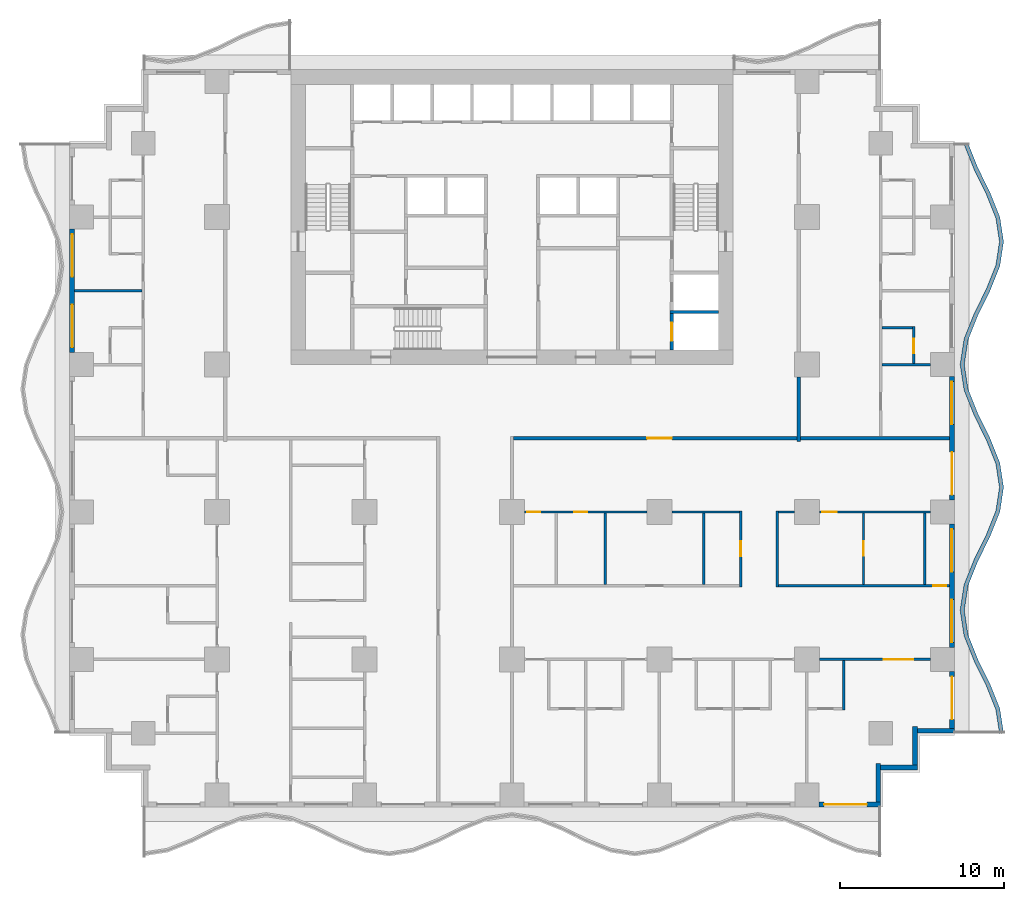
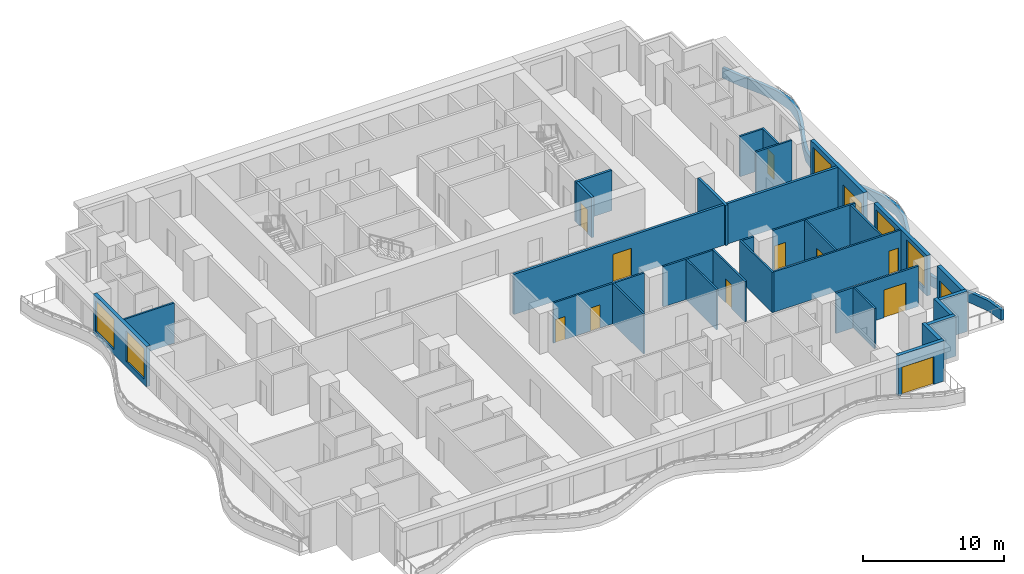
# One storey, part 4 of 14: 32 walls, 13 doors, 5 windows, 18 openings.
"""IFC4 building model written with IfcOpenShell, lengths in metres."""

from ifc_helpers import new_model, si_unit, direction, frame, frame_2d, origin, place, context, subcontext, project, spatial, polyline, rectangle, outline, extrude, material, layer, layer_set, type_object, element, fill, save


model = new_model("IFC4")

# Units and contexts
model_context = context("Model", 3, precision=1e-05, world=origin(), true_north=direction((0.0, 1.0)))
body_context = subcontext(model_context, "Body", "Model", "MODEL_VIEW")
ifc_project = project(units=[si_unit("LENGTHUNIT", "METRE"), si_unit("AREAUNIT", "SQUARE_METRE"), si_unit("VOLUMEUNIT", "CUBIC_METRE"), si_unit("PLANEANGLEUNIT", "RADIAN"), si_unit("MASSUNIT", "GRAM", prefix="KILO")], contexts=[model_context])

# Site, building, storey
site_placement = place(None, origin())
site = spatial("IfcSite", under=ifc_project, at=site_placement, CompositionType="ELEMENT")
building_placement = place(site_placement, origin())
building = spatial("IfcBuilding", under=site, at=building_placement, Name="Orbiselva Terraces", CompositionType="ELEMENT")
storey_placement = place(building_placement, frame((0.0, 0.0, 22.6)))
storey = spatial("IfcBuildingStorey", under=building, at=storey_placement, Name="L05", CompositionType="ELEMENT", Elevation=22.6)

# Wall, opening, door
ifc_material_1 = material(Name="Concrete C60/75", Category="concrete")
ifc_layer_1 = layer(ifc_material_1, 0.2)
ifc_layer_set_1 = layer_set([ifc_layer_1], Name="Concrete C60/75")
wall_type_1 = type_object("IfcWallType", Name="CORE-WALL-SHEAR-200", PredefinedType="SHEAR", material=ifc_layer_set_1)
wall_1_placement = place(storey_placement, frame((9.75, 5.4, 0.0), z_axis=(0.0, 0.0, 1.0), x_axis=(0.0, 1.0, 0.0)))
wall_1 = element("IfcWall", 1, at=wall_1_placement, inside=storey, type_object=wall_type_1, Name="L05 core wall 44", PredefinedType="SHEAR", context=body_context, shape_type="SweptSolid", body=[
    extrude(rectangle(XDim=2.2, YDim=0.2, at=frame_2d((1.1, 0.0))), origin(), (0.0, 0.0, 1.0), 3.5),
])
opening_1_placement = place(wall_1_placement, frame((0.55, 0.0, 0.0)))
opening_1 = element("IfcOpeningElement", 2, at=opening_1_placement, cuts=wall_1, Name="Opening LD-FF1", PredefinedType="OPENING", context=body_context, shape_type="SweptSolid", body=[
    extrude(rectangle(XDim=1.1, YDim=2.1, at=frame_2d((0.55, 1.05))), frame((0.0, 0.11, 0.0), z_axis=(0.0, -1.0, 0.0), x_axis=(1.0, 0.0, 0.0)), (0.0, 0.0, 1.0), 0.22),
])
ifc_material_2 = material(Name="Stainless steel landing door", Category="steel")
door_type_1 = type_object("IfcDoorType", Name="LANDING DOOR 1100", OperationType="SLIDING_TO_LEFT", PredefinedType="DOOR", material=ifc_material_2)
door_1_placement = place(opening_1_placement, origin())
door_1 = element("IfcDoor", 3, at=door_1_placement, inside=storey, type_object=door_type_1, Name="L05 landing door FF1", OperationType="SLIDING_TO_RIGHT", OverallHeight=2.1, OverallWidth=1.1, PredefinedType="DOOR", context=body_context, shape_type="SweptSolid", body=[
    extrude(rectangle(XDim=1.1, YDim=2.1, at=frame_2d((0.55, 1.05))), frame((0.0, 0.025, 0.0), z_axis=(0.0, -1.0, 0.0), x_axis=(1.0, 0.0, 0.0)), (0.0, 0.0, 1.0), 0.05),
])
fill(opening_1, door_1)

# Walls
wall_2_placement = place(storey_placement, frame((9.65, 7.7, 0.0), z_axis=(0.0, 0.0, 1.0), x_axis=(1.0, 0.0, 0.0)))
element("IfcWall", 4, at=wall_2_placement, inside=storey, type_object=wall_type_1, Name="L05 core wall 45", PredefinedType="SHEAR", context=body_context, shape_type="SweptSolid", body=[
    extrude(rectangle(XDim=2.95, YDim=0.2, at=frame_2d((1.475, 0.0))), origin(), (0.0, 0.0, 1.0), 3.5),
])
ifc_material_3 = material(Name="Concrete C40/50", Category="concrete")
ifc_layer_2 = layer(ifc_material_3, 0.25)
ifc_layer_set_2 = layer_set([ifc_layer_2], Name="Concrete C40/50")
wall_type_2 = type_object("IfcWallType", Name="ENV-PLANTER-250x900", PredefinedType="USERDEFINED", material=ifc_layer_set_2)
wall_3_placement = place(storey_placement, origin())
element("IfcWall", 5, at=wall_3_placement, inside=storey, type_object=wall_type_2, Name="Balcony planter L05 E", ObjectType="PLANTER", PredefinedType="USERDEFINED", context=body_context, shape_type="SweptSolid", body=[
    extrude(outline(polyline([(30.0, -18.0), (29.77082, -16.5), (29.17082, -15.0), (28.42918, -13.5), (27.82918, -12.0), (27.6, -10.5), (27.82918, -9.0), (28.42918, -7.5), (29.17082, -6.0), (29.77082, -4.5), (30.0, -3.0), (29.77082, -1.5), (29.17082, 0.0), (28.42918, 1.5), (27.82918, 3.0), (27.6, 4.5), (27.82918, 6.0), (28.42918, 7.5), (29.17082, 9.0), (29.77082, 10.5), (30.0, 12.0), (29.77082, 13.5), (29.17082, 15.0), (28.42918, 16.5), (27.82918, 18.0), (27.597061, 17.907152), (28.200715, 16.398017), (28.942355, 14.898017), (29.528028, 13.433834), (29.747099, 12.0), (29.528028, 10.566166), (28.942355, 9.101983), (28.200715, 7.601983), (27.586388, 6.066166), (27.347099, 4.5), (27.586388, 2.933834), (28.200715, 1.398017), (28.942355, -0.101983), (29.528028, -1.566166), (29.747099, -3.0), (29.528028, -4.433834), (28.942355, -5.898017), (28.200715, -7.398017), (27.586388, -8.933834), (27.347099, -10.5), (27.586388, -12.066166), (28.200715, -13.601983), (28.942355, -15.101983), (29.528028, -16.566166), (29.752868, -18.037758), (30.0, -18.0)])), origin(), (0.0, 0.0, 1.0), 0.9),
])

# Wall, opening, door
ifc_material_4 = material(Name="Terracotta cladding on masonry backing", Category="masonry")
ifc_layer_3 = layer(ifc_material_4, 0.3)
ifc_layer_set_3 = layer_set([ifc_layer_3], Name="Terracotta cladding on masonry backing")
wall_type_3 = type_object("IfcWallType", Name="ENV-WALL-TERRACOTTA-300", PredefinedType="SOLIDWALL", material=ifc_layer_set_3)
wall_4_placement = place(storey_placement, frame((22.5, -22.35, 0.0), z_axis=(0.0, 0.0, 1.0), x_axis=(-1.0, 0.0, 0.0)))
wall_4 = element("IfcWall", 6, at=wall_4_placement, inside=storey, type_object=wall_type_3, Name="Facade wall L05 S", PredefinedType="SOLIDWALL", context=body_context, shape_type="SweptSolid", body=[
    extrude(rectangle(XDim=3.775, YDim=0.3, at=frame_2d((1.8875, 0.0))), origin(), (0.0, 0.0, 1.0), 3.5),
])
opening_2_placement = place(wall_4_placement, frame((0.85, 0.0, 0.0)))
opening_2 = element("IfcOpeningElement", 7, at=opening_2_placement, cuts=wall_4, Name="Opening Z1-A-E18", PredefinedType="OPENING", context=body_context, shape_type="SweptSolid", body=[
    extrude(rectangle(XDim=2.6, YDim=2.4, at=frame_2d((1.3, 1.2))), frame((0.0, 0.16, 0.0), z_axis=(0.0, -1.0, 0.0), x_axis=(1.0, 0.0, 0.0)), (0.0, 0.0, 1.0), 0.32),
])
ifc_material_5 = material(Name="Clear low-e glazing in aluminium frame", Category="aluminium")
door_type_2 = type_object("IfcDoorType", Name="BALCONY DOOR 2600 X 2400", OperationType="DOUBLE_DOOR_SLIDING", PredefinedType="DOOR", material=ifc_material_5)
door_2_placement = place(opening_2_placement, origin())
door_2 = element("IfcDoor", 8, at=door_2_placement, inside=storey, type_object=door_type_2, Name="Z1-A-E18", OperationType="SINGLE_SWING_LEFT", OverallHeight=2.4, OverallWidth=2.6, PredefinedType="DOOR", context=body_context, shape_type="SweptSolid", body=[
    extrude(rectangle(XDim=2.6, YDim=2.4, at=frame_2d((1.3, 1.2))), frame((0.0, 0.025, 0.0), z_axis=(0.0, -1.0, 0.0), x_axis=(1.0, 0.0, 0.0)), (0.0, 0.0, 1.0), 0.05),
])
fill(opening_2, door_2)

# Walls
wall_5_placement = place(storey_placement, frame((22.35, -19.85, 0.0), z_axis=(0.0, 0.0, 1.0), x_axis=(0.0, -1.0, 0.0)))
element("IfcWall", 9, at=wall_5_placement, inside=storey, type_object=wall_type_3, Name="Facade wall L05 STEP", PredefinedType="SOLIDWALL", context=body_context, shape_type="SweptSolid", body=[
    extrude(rectangle(XDim=2.35, YDim=0.3, at=frame_2d((1.175, 0.0))), origin(), (0.0, 0.0, 1.0), 3.5),
])
wall_6_placement = place(storey_placement, frame((24.75, -20.1, 0.0), z_axis=(0.0, 0.0, 1.0), x_axis=(-1.0, 0.0, 0.0)))
element("IfcWall", 10, at=wall_6_placement, inside=storey, type_object=wall_type_3, Name="Facade wall L05 STEP", PredefinedType="SOLIDWALL", context=body_context, shape_type="SweptSolid", body=[
    extrude(rectangle(XDim=2.25, YDim=0.3, at=frame_2d((1.125, 0.0))), origin(), (0.0, 0.0, 1.0), 3.5),
])
wall_7_placement = place(storey_placement, frame((24.6, -17.6, 0.0), z_axis=(0.0, 0.0, 1.0), x_axis=(0.0, -1.0, 0.0)))
element("IfcWall", 11, at=wall_7_placement, inside=storey, type_object=wall_type_3, Name="Facade wall L05 STEP", PredefinedType="SOLIDWALL", context=body_context, shape_type="SweptSolid", body=[
    extrude(rectangle(XDim=2.35, YDim=0.3, at=frame_2d((1.175, 0.0))), origin(), (0.0, 0.0, 1.0), 3.5),
])
wall_8_placement = place(storey_placement, frame((27.0, -17.85, 0.0), z_axis=(0.0, 0.0, 1.0), x_axis=(-1.0, 0.0, 0.0)))
element("IfcWall", 12, at=wall_8_placement, inside=storey, type_object=wall_type_3, Name="Facade wall L05 STEP", PredefinedType="SOLIDWALL", context=body_context, shape_type="SweptSolid", body=[
    extrude(rectangle(XDim=2.25, YDim=0.3, at=frame_2d((1.125, 0.0))), origin(), (0.0, 0.0, 1.0), 3.5),
])

# Wall, opening, door
wall_9_placement = place(storey_placement, frame((26.85, -14.225, 0.0), z_axis=(0.0, 0.0, 1.0), x_axis=(0.0, -1.0, 0.0)))
wall_9 = element("IfcWall", 13, at=wall_9_placement, inside=storey, type_object=wall_type_3, Name="Facade wall L05 E", PredefinedType="SOLIDWALL", context=body_context, shape_type="SweptSolid", body=[
    extrude(rectangle(XDim=3.475, YDim=0.3, at=frame_2d((1.7375, 0.0))), origin(), (0.0, 0.0, 1.0), 3.5),
])
opening_3_placement = place(wall_9_placement, frame((0.325, 0.0, 0.0)))
opening_3 = element("IfcOpeningElement", 14, at=opening_3_placement, cuts=wall_9, Name="Opening Z1-A-E04", PredefinedType="OPENING", context=body_context, shape_type="SweptSolid", body=[
    extrude(rectangle(XDim=2.6, YDim=2.4, at=frame_2d((1.3, 1.2))), frame((0.0, 0.16, 0.0), z_axis=(0.0, -1.0, 0.0), x_axis=(1.0, 0.0, 0.0)), (0.0, 0.0, 1.0), 0.32),
])
door_3_placement = place(opening_3_placement, origin())
door_3 = element("IfcDoor", 15, at=door_3_placement, inside=storey, type_object=door_type_2, Name="Z1-A-E04", OperationType="SINGLE_SWING_LEFT", OverallHeight=2.4, OverallWidth=2.6, PredefinedType="DOOR", context=body_context, shape_type="SweptSolid", body=[
    extrude(rectangle(XDim=2.6, YDim=2.4, at=frame_2d((1.3, 1.2))), frame((0.0, 0.025, 0.0), z_axis=(0.0, -1.0, 0.0), x_axis=(1.0, 0.0, 0.0)), (0.0, 0.0, 1.0), 0.05),
])
fill(opening_3, door_3)

# Wall, openings, windows
wall_10_placement = place(storey_placement, frame((26.85, -5.225, 0.0), z_axis=(0.0, 0.0, 1.0), x_axis=(0.0, -1.0, 0.0)))
wall_10 = element("IfcWall", 16, at=wall_10_placement, inside=storey, type_object=wall_type_3, Name="Facade wall L05 E", PredefinedType="SOLIDWALL", context=body_context, shape_type="SweptSolid", body=[
    extrude(rectangle(XDim=7.55, YDim=0.3, at=frame_2d((3.775, 0.0))), origin(), (0.0, 0.0, 1.0), 3.5),
])
opening_4_placement = place(wall_10_placement, frame((4.625, 0.0, 0.45)))
opening_4 = element("IfcOpeningElement", 17, at=opening_4_placement, cuts=wall_10, Name="Opening WN1", PredefinedType="OPENING", context=body_context, shape_type="SweptSolid", body=[
    extrude(rectangle(XDim=2.6, YDim=2.65, at=frame_2d((1.3, 1.325))), frame((0.0, 0.16, 0.0), z_axis=(0.0, -1.0, 0.0), x_axis=(1.0, 0.0, 0.0)), (0.0, 0.0, 1.0), 0.32),
])
opening_5_placement = place(wall_10_placement, frame((0.325, 0.0, 0.45)))
opening_5 = element("IfcOpeningElement", 18, at=opening_5_placement, cuts=wall_10, Name="Opening WN1", PredefinedType="OPENING", context=body_context, shape_type="SweptSolid", body=[
    extrude(rectangle(XDim=2.6, YDim=2.65, at=frame_2d((1.3, 1.325))), frame((0.0, 0.16, 0.0), z_axis=(0.0, -1.0, 0.0), x_axis=(1.0, 0.0, 0.0)), (0.0, 0.0, 1.0), 0.32),
])
window_type = type_object("IfcWindowType", Name="WINDOW 2600 X 2650 S450", PartitioningType="TRIPLE_PANEL_VERTICAL", PredefinedType="WINDOW", material=ifc_material_5)
window_1_placement = place(opening_4_placement, origin())
window_1 = element("IfcWindow", 19, at=window_1_placement, inside=storey, type_object=window_type, Name="Window L05 E", OverallHeight=2.65, OverallWidth=2.6, PartitioningType="SINGLE_PANEL", PredefinedType="WINDOW", context=body_context, shape_type="SweptSolid", body=[
    extrude(rectangle(XDim=2.6, YDim=2.65, at=frame_2d((1.3, 1.325))), frame((0.0, 0.03, 0.0), z_axis=(0.0, -1.0, 0.0), x_axis=(1.0, 0.0, 0.0)), (0.0, 0.0, 1.0), 0.06),
])
fill(opening_4, window_1)
window_2_placement = place(opening_5_placement, origin())
window_2 = element("IfcWindow", 20, at=window_2_placement, inside=storey, type_object=window_type, Name="Window L05 E", OverallHeight=2.65, OverallWidth=2.6, PartitioningType="SINGLE_PANEL", PredefinedType="WINDOW", context=body_context, shape_type="SweptSolid", body=[
    extrude(rectangle(XDim=2.6, YDim=2.65, at=frame_2d((1.3, 1.325))), frame((0.0, 0.03, 0.0), z_axis=(0.0, -1.0, 0.0), x_axis=(1.0, 0.0, 0.0)), (0.0, 0.0, 1.0), 0.06),
])
fill(opening_5, window_2)

# Wall, openings, door, window
wall_11_placement = place(storey_placement, frame((26.85, 3.775, 0.0), z_axis=(0.0, 0.0, 1.0), x_axis=(0.0, -1.0, 0.0)))
wall_11 = element("IfcWall", 21, at=wall_11_placement, inside=storey, type_object=wall_type_3, Name="Facade wall L05 E", PredefinedType="SOLIDWALL", context=body_context, shape_type="SweptSolid", body=[
    extrude(rectangle(XDim=7.55, YDim=0.3, at=frame_2d((3.775, 0.0))), origin(), (0.0, 0.0, 1.0), 3.5),
])
opening_6_placement = place(wall_11_placement, frame((4.625, 0.0, 0.0)))
opening_6 = element("IfcOpeningElement", 22, at=opening_6_placement, cuts=wall_11, Name="Opening Z1-A-E14", PredefinedType="OPENING", context=body_context, shape_type="SweptSolid", body=[
    extrude(rectangle(XDim=2.6, YDim=2.4, at=frame_2d((1.3, 1.2))), frame((0.0, 0.16, 0.0), z_axis=(0.0, -1.0, 0.0), x_axis=(1.0, 0.0, 0.0)), (0.0, 0.0, 1.0), 0.32),
])
opening_7_placement = place(wall_11_placement, frame((0.325, 0.0, 0.45)))
opening_7 = element("IfcOpeningElement", 23, at=opening_7_placement, cuts=wall_11, Name="Opening WN1", PredefinedType="OPENING", context=body_context, shape_type="SweptSolid", body=[
    extrude(rectangle(XDim=2.6, YDim=2.65, at=frame_2d((1.3, 1.325))), frame((0.0, 0.16, 0.0), z_axis=(0.0, -1.0, 0.0), x_axis=(1.0, 0.0, 0.0)), (0.0, 0.0, 1.0), 0.32),
])
door_4_placement = place(opening_6_placement, origin())
door_4 = element("IfcDoor", 24, at=door_4_placement, inside=storey, type_object=door_type_2, Name="Z1-A-E14", OperationType="SINGLE_SWING_LEFT", OverallHeight=2.4, OverallWidth=2.6, PredefinedType="DOOR", context=body_context, shape_type="SweptSolid", body=[
    extrude(rectangle(XDim=2.6, YDim=2.4, at=frame_2d((1.3, 1.2))), frame((0.0, 0.025, 0.0), z_axis=(0.0, -1.0, 0.0), x_axis=(1.0, 0.0, 0.0)), (0.0, 0.0, 1.0), 0.05),
])
fill(opening_6, door_4)
window_3_placement = place(opening_7_placement, origin())
window_3 = element("IfcWindow", 25, at=window_3_placement, inside=storey, type_object=window_type, Name="Window L05 E", OverallHeight=2.65, OverallWidth=2.6, PartitioningType="SINGLE_PANEL", PredefinedType="WINDOW", context=body_context, shape_type="SweptSolid", body=[
    extrude(rectangle(XDim=2.6, YDim=2.65, at=frame_2d((1.3, 1.325))), frame((0.0, 0.03, 0.0), z_axis=(0.0, -1.0, 0.0), x_axis=(1.0, 0.0, 0.0)), (0.0, 0.0, 1.0), 0.06),
])
fill(opening_7, window_3)

# Wall, openings, windows
wall_12_placement = place(storey_placement, frame((-26.85, 5.225, 0.0), z_axis=(0.0, 0.0, 1.0), x_axis=(0.0, 1.0, 0.0)))
wall_12 = element("IfcWall", 26, at=wall_12_placement, inside=storey, type_object=wall_type_3, Name="Facade wall L05 W", PredefinedType="SOLIDWALL", context=body_context, shape_type="SweptSolid", body=[
    extrude(rectangle(XDim=7.55, YDim=0.3, at=frame_2d((3.775, 0.0))), origin(), (0.0, 0.0, 1.0), 3.5),
])
opening_8_placement = place(wall_12_placement, frame((4.625, 0.0, 0.45)))
opening_8 = element("IfcOpeningElement", 27, at=opening_8_placement, cuts=wall_12, Name="Opening WN1", PredefinedType="OPENING", context=body_context, shape_type="SweptSolid", body=[
    extrude(rectangle(XDim=2.6, YDim=2.65, at=frame_2d((1.3, 1.325))), frame((0.0, 0.16, 0.0), z_axis=(0.0, -1.0, 0.0), x_axis=(1.0, 0.0, 0.0)), (0.0, 0.0, 1.0), 0.32),
])
opening_9_placement = place(wall_12_placement, frame((0.325, 0.0, 0.45)))
opening_9 = element("IfcOpeningElement", 28, at=opening_9_placement, cuts=wall_12, Name="Opening WN1", PredefinedType="OPENING", context=body_context, shape_type="SweptSolid", body=[
    extrude(rectangle(XDim=2.6, YDim=2.65, at=frame_2d((1.3, 1.325))), frame((0.0, 0.16, 0.0), z_axis=(0.0, -1.0, 0.0), x_axis=(1.0, 0.0, 0.0)), (0.0, 0.0, 1.0), 0.32),
])
window_4_placement = place(opening_8_placement, origin())
window_4 = element("IfcWindow", 29, at=window_4_placement, inside=storey, type_object=window_type, Name="Window L05 W", OverallHeight=2.65, OverallWidth=2.6, PartitioningType="SINGLE_PANEL", PredefinedType="WINDOW", context=body_context, shape_type="SweptSolid", body=[
    extrude(rectangle(XDim=2.6, YDim=2.65, at=frame_2d((1.3, 1.325))), frame((0.0, 0.03, 0.0), z_axis=(0.0, -1.0, 0.0), x_axis=(1.0, 0.0, 0.0)), (0.0, 0.0, 1.0), 0.06),
])
fill(opening_8, window_4)
window_5_placement = place(opening_9_placement, origin())
window_5 = element("IfcWindow", 30, at=window_5_placement, inside=storey, type_object=window_type, Name="Window L05 W", OverallHeight=2.65, OverallWidth=2.6, PartitioningType="SINGLE_PANEL", PredefinedType="WINDOW", context=body_context, shape_type="SweptSolid", body=[
    extrude(rectangle(XDim=2.6, YDim=2.65, at=frame_2d((1.3, 1.325))), frame((0.0, 0.03, 0.0), z_axis=(0.0, -1.0, 0.0), x_axis=(1.0, 0.0, 0.0)), (0.0, 0.0, 1.0), 0.06),
])
fill(opening_9, window_5)

# Wall, opening, door
ifc_material_6 = material(Name="Plasterboard on steel stud partition", Category="steel")
ifc_layer_4 = layer(ifc_material_6, 0.2)
ifc_layer_set_4 = layer_set([ifc_layer_4], Name="Plasterboard on steel stud partition")
wall_type_4 = type_object("IfcWallType", Name="UNIT-ENTRANCE-WALL-200", PredefinedType="PARTITIONING", material=ifc_layer_set_4)
wall_13_placement = place(storey_placement, frame((17.4, 0.0, 0.0), z_axis=(0.0, 0.0, 1.0), x_axis=(-1.0, 0.0, 0.0)))
wall_13 = element("IfcWall", 31, at=wall_13_placement, inside=storey, type_object=wall_type_4, Name="PARTITION L05-030", PredefinedType="PARTITIONING", context=body_context, shape_type="SweptSolid", body=[
    extrude(rectangle(XDim=17.3, YDim=0.2, at=frame_2d((8.65, 0.0))), origin(), (0.0, 0.0, 1.0), 3.5),
])
opening_10_placement = place(wall_13_placement, frame((7.65, 0.0, 0.0)))
opening_10 = element("IfcOpeningElement", 32, at=opening_10_placement, cuts=wall_13, Name="Opening Z1-A-32", PredefinedType="OPENING", context=body_context, shape_type="SweptSolid", body=[
    extrude(rectangle(XDim=1.5, YDim=2.4, at=frame_2d((0.75, 1.2))), frame((0.0, 0.11, 0.0), z_axis=(0.0, -1.0, 0.0), x_axis=(1.0, 0.0, 0.0)), (0.0, 0.0, 1.0), 0.22),
])
ifc_material_7 = material(Name="Painted timber door leaf", Category="wood")
door_type_3 = type_object("IfcDoorType", Name="ENTRANCE DOUBLE DOOR 1500", OperationType="NOTDEFINED", PredefinedType="DOOR", material=ifc_material_7)
door_5_placement = place(opening_10_placement, origin())
door_5 = element("IfcDoor", 33, at=door_5_placement, inside=storey, type_object=door_type_3, Name="Z1-A-32", OperationType="DOUBLE_DOOR_SINGLE_SWING", OverallHeight=2.4, OverallWidth=1.5, PredefinedType="DOOR", context=body_context, shape_type="SweptSolid", body=[
    extrude(rectangle(XDim=1.5, YDim=2.4, at=frame_2d((0.75, 1.2))), frame((0.0, 0.025, 0.0), z_axis=(0.0, -1.0, 0.0), x_axis=(1.0, 0.0, 0.0)), (0.0, 0.0, 1.0), 0.05),
])
fill(opening_10, door_5)

# Wall
wall_14_placement = place(storey_placement, frame((17.5, -0.2, 0.0), z_axis=(0.0, 0.0, 1.0), x_axis=(0.0, 1.0, 0.0)))
element("IfcWall", 34, at=wall_14_placement, inside=storey, type_object=wall_type_4, Name="PARTITION L05-082", PredefinedType="PARTITIONING", context=body_context, shape_type="SweptSolid", body=[
    extrude(rectangle(XDim=3.925, YDim=0.2, at=frame_2d((1.9625, 0.0))), origin(), (0.0, 0.0, 1.0), 3.5),
])

# Wall, opening, door
ifc_layer_5 = layer(ifc_material_6, 0.15)
ifc_layer_set_5 = layer_set([ifc_layer_5], Name="Plasterboard on steel stud partition")
wall_type_5 = type_object("IfcWallType", Name="UNIT-PARTITION-150", PredefinedType="PARTITIONING", material=ifc_layer_set_5)
wall_15_placement = place(storey_placement, frame((25.55, -13.5, 0.0), z_axis=(0.0, 0.0, 1.0), x_axis=(-1.0, 0.0, 0.0)))
wall_15 = element("IfcWall", 35, at=wall_15_placement, inside=storey, type_object=wall_type_5, Name="PARTITION L05-015", PredefinedType="PARTITIONING", context=body_context, shape_type="SweptSolid", body=[
    extrude(rectangle(XDim=6.775, YDim=0.15, at=frame_2d((3.3875, 0.0))), origin(), (0.0, 0.0, 1.0), 3.5),
])
opening_11_placement = place(wall_15_placement, frame((1.05, 0.0, 0.0)))
opening_11 = element("IfcOpeningElement", 36, at=opening_11_placement, cuts=wall_15, Name="Opening Z1-A-48", PredefinedType="OPENING", context=body_context, shape_type="SweptSolid", body=[
    extrude(rectangle(XDim=1.8, YDim=2.4, at=frame_2d((0.9, 1.2))), frame((0.0, 0.085, 0.0), z_axis=(0.0, -1.0, 0.0), x_axis=(1.0, 0.0, 0.0)), (0.0, 0.0, 1.0), 0.17),
])
door_type_4 = type_object("IfcDoorType", Name="DOUBLE DOOR 1800", OperationType="NOTDEFINED", PredefinedType="DOOR", material=ifc_material_7)
door_6_placement = place(opening_11_placement, origin())
door_6 = element("IfcDoor", 37, at=door_6_placement, inside=storey, type_object=door_type_4, Name="Z1-A-48", OperationType="DOUBLE_DOOR_SINGLE_SWING", OverallHeight=2.4, OverallWidth=1.8, PredefinedType="DOOR", context=body_context, shape_type="SweptSolid", body=[
    extrude(rectangle(XDim=1.8, YDim=2.4, at=frame_2d((0.9, 1.2))), frame((0.0, 0.025, 0.0), z_axis=(0.0, -1.0, 0.0), x_axis=(1.0, 0.0, 0.0)), (0.0, 0.0, 1.0), 0.05),
])
fill(opening_11, door_6)

wall_16_placement = place(storey_placement, frame((16.275, -9.0, 0.0), z_axis=(0.0, 0.0, 1.0), x_axis=(1.0, 0.0, 0.0)))
wall_16 = element("IfcWall", 38, at=wall_16_placement, inside=storey, type_object=wall_type_5, Name="PARTITION L05-021", PredefinedType="PARTITIONING", context=body_context, shape_type="SweptSolid", body=[
    extrude(rectangle(XDim=10.425, YDim=0.15, at=frame_2d((5.2125, 0.0))), origin(), (0.0, 0.0, 1.0), 3.5),
])
opening_12_placement = place(wall_16_placement, frame((9.425, 0.0, 0.0)))
opening_12 = element("IfcOpeningElement", 39, at=opening_12_placement, cuts=wall_16, Name="Opening Z1-A-39", PredefinedType="OPENING", context=body_context, shape_type="SweptSolid", body=[
    extrude(rectangle(XDim=0.8, YDim=2.0, at=frame_2d((0.4, 1.0))), frame((0.0, 0.085, 0.0), z_axis=(0.0, -1.0, 0.0), x_axis=(1.0, 0.0, 0.0)), (0.0, 0.0, 1.0), 0.17),
])
door_type_5 = type_object("IfcDoorType", Name="STORE DOOR 800", OperationType="NOTDEFINED", PredefinedType="DOOR", material=ifc_material_7)
door_7_placement = place(opening_12_placement, origin())
door_7 = element("IfcDoor", 40, at=door_7_placement, inside=storey, type_object=door_type_5, Name="Z1-A-39", OperationType="SINGLE_SWING_RIGHT", OverallHeight=2.0, OverallWidth=0.8, PredefinedType="DOOR", context=body_context, shape_type="SweptSolid", body=[
    extrude(rectangle(XDim=0.8, YDim=2.0, at=frame_2d((0.4, 1.0))), frame((0.0, 0.025, 0.0), z_axis=(0.0, -1.0, 0.0), x_axis=(1.0, 0.0, 0.0)), (0.0, 0.0, 1.0), 0.05),
])
fill(opening_12, door_7)

# Wall, openings, doors
wall_17_placement = place(storey_placement, frame((8.225, -4.5, 0.0), z_axis=(0.0, 0.0, 1.0), x_axis=(-1.0, 0.0, 0.0)))
wall_17 = element("IfcWall", 41, at=wall_17_placement, inside=storey, type_object=wall_type_5, Name="PARTITION L05-023", PredefinedType="PARTITIONING", context=body_context, shape_type="SweptSolid", body=[
    extrude(rectangle(XDim=7.45, YDim=0.15, at=frame_2d((3.725, 0.0))), origin(), (0.0, 0.0, 1.0), 3.5),
])
opening_13_placement = place(wall_17_placement, frame((6.5, 0.0, 0.0)))
opening_13 = element("IfcOpeningElement", 42, at=opening_13_placement, cuts=wall_17, Name="Opening Z1-A-33", PredefinedType="OPENING", context=body_context, shape_type="SweptSolid", body=[
    extrude(rectangle(XDim=0.8, YDim=2.0, at=frame_2d((0.4, 1.0))), frame((0.0, 0.085, 0.0), z_axis=(0.0, -1.0, 0.0), x_axis=(1.0, 0.0, 0.0)), (0.0, 0.0, 1.0), 0.17),
])
opening_14_placement = place(wall_17_placement, frame((3.625, 0.0, 0.0)))
opening_14 = element("IfcOpeningElement", 43, at=opening_14_placement, cuts=wall_17, Name="Opening Z1-A-34", PredefinedType="OPENING", context=body_context, shape_type="SweptSolid", body=[
    extrude(rectangle(XDim=0.8, YDim=2.0, at=frame_2d((0.4, 1.0))), frame((0.0, 0.085, 0.0), z_axis=(0.0, -1.0, 0.0), x_axis=(1.0, 0.0, 0.0)), (0.0, 0.0, 1.0), 0.17),
])
door_8_placement = place(opening_13_placement, origin())
door_8 = element("IfcDoor", 44, at=door_8_placement, inside=storey, type_object=door_type_5, Name="Z1-A-33", OperationType="SINGLE_SWING_RIGHT", OverallHeight=2.0, OverallWidth=0.8, PredefinedType="DOOR", context=body_context, shape_type="SweptSolid", body=[
    extrude(rectangle(XDim=0.8, YDim=2.0, at=frame_2d((0.4, 1.0))), frame((0.0, 0.025, 0.0), z_axis=(0.0, -1.0, 0.0), x_axis=(1.0, 0.0, 0.0)), (0.0, 0.0, 1.0), 0.05),
])
fill(opening_13, door_8)
door_9_placement = place(opening_14_placement, origin())
door_9 = element("IfcDoor", 45, at=door_9_placement, inside=storey, type_object=door_type_5, Name="Z1-A-34", OperationType="SINGLE_SWING_RIGHT", OverallHeight=2.0, OverallWidth=0.8, PredefinedType="DOOR", context=body_context, shape_type="SweptSolid", body=[
    extrude(rectangle(XDim=0.8, YDim=2.0, at=frame_2d((0.4, 1.0))), frame((0.0, 0.025, 0.0), z_axis=(0.0, -1.0, 0.0), x_axis=(1.0, 0.0, 0.0)), (0.0, 0.0, 1.0), 0.05),
])
fill(opening_14, door_9)

# Walls
wall_18_placement = place(storey_placement, frame((9.775, -4.5, 0.0), z_axis=(0.0, 0.0, 1.0), x_axis=(1.0, 0.0, 0.0)))
element("IfcWall", 46, at=wall_18_placement, inside=storey, type_object=wall_type_5, Name="PARTITION L05-024", PredefinedType="PARTITIONING", context=body_context, shape_type="SweptSolid", body=[
    extrude(rectangle(XDim=4.1, YDim=0.15, at=frame_2d((2.05, 0.0))), origin(), (0.0, 0.0, 1.0), 3.5),
])
wall_19_placement = place(storey_placement, frame((16.275, -4.5, 0.0), z_axis=(0.0, 0.0, 1.0), x_axis=(1.0, 0.0, 0.0)))
element("IfcWall", 47, at=wall_19_placement, inside=storey, type_object=wall_type_5, Name="PARTITION L05-025", PredefinedType="PARTITIONING", context=body_context, shape_type="SweptSolid", body=[
    extrude(rectangle(XDim=0.95, YDim=0.15, at=frame_2d((0.475, 0.0))), origin(), (0.0, 0.0, 1.0), 3.5),
])

# Wall, opening, door
wall_20_placement = place(storey_placement, frame((25.55, -4.5, 0.0), z_axis=(0.0, 0.0, 1.0), x_axis=(-1.0, 0.0, 0.0)))
wall_20 = element("IfcWall", 48, at=wall_20_placement, inside=storey, type_object=wall_type_5, Name="PARTITION L05-026", PredefinedType="PARTITIONING", context=body_context, shape_type="SweptSolid", body=[
    extrude(rectangle(XDim=6.775, YDim=0.15, at=frame_2d((3.3875, 0.0))), origin(), (0.0, 0.0, 1.0), 3.5),
])
opening_15_placement = place(wall_20_placement, frame((5.725, 0.0, 0.0)))
opening_15 = element("IfcOpeningElement", 49, at=opening_15_placement, cuts=wall_20, Name="Opening Z1-A-37", PredefinedType="OPENING", context=body_context, shape_type="SweptSolid", body=[
    extrude(rectangle(XDim=0.9, YDim=2.1, at=frame_2d((0.45, 1.05))), frame((0.0, 0.085, 0.0), z_axis=(0.0, -1.0, 0.0), x_axis=(1.0, 0.0, 0.0)), (0.0, 0.0, 1.0), 0.17),
])
door_type_6 = type_object("IfcDoorType", Name="SERVICE DOOR 900", OperationType="NOTDEFINED", PredefinedType="DOOR", material=ifc_material_7)
door_10_placement = place(opening_15_placement, origin())
door_10 = element("IfcDoor", 50, at=door_10_placement, inside=storey, type_object=door_type_6, Name="Z1-A-37", OperationType="SINGLE_SWING_RIGHT", OverallHeight=2.1, OverallWidth=0.9, PredefinedType="DOOR", context=body_context, shape_type="SweptSolid", body=[
    extrude(rectangle(XDim=0.9, YDim=2.1, at=frame_2d((0.45, 1.05))), frame((0.0, 0.025, 0.0), z_axis=(0.0, -1.0, 0.0), x_axis=(1.0, 0.0, 0.0)), (0.0, 0.0, 1.0), 0.05),
])
fill(opening_15, door_10)

# Walls
wall_21_placement = place(storey_placement, frame((22.575, 4.5, 0.0), z_axis=(0.0, 0.0, 1.0), x_axis=(1.0, 0.0, 0.0)))
element("IfcWall", 51, at=wall_21_placement, inside=storey, type_object=wall_type_5, Name="PARTITION L05-034", PredefinedType="PARTITIONING", context=body_context, shape_type="SweptSolid", body=[
    extrude(rectangle(XDim=2.975, YDim=0.15, at=frame_2d((1.4875, 0.0))), origin(), (0.0, 0.0, 1.0), 3.5),
])
wall_22_placement = place(storey_placement, frame((22.575, 6.75, 0.0), z_axis=(0.0, 0.0, 1.0), x_axis=(1.0, 0.0, 0.0)))
element("IfcWall", 52, at=wall_22_placement, inside=storey, type_object=wall_type_5, Name="PARTITION L05-036", PredefinedType="PARTITIONING", context=body_context, shape_type="SweptSolid", body=[
    extrude(rectangle(XDim=1.875, YDim=0.15, at=frame_2d((0.9375, 0.0))), origin(), (0.0, 0.0, 1.0), 3.5),
])
wall_23_placement = place(storey_placement, frame((-26.7, 9.0, 0.0), z_axis=(0.0, 0.0, 1.0), x_axis=(1.0, 0.0, 0.0)))
element("IfcWall", 53, at=wall_23_placement, inside=storey, type_object=wall_type_5, Name="PARTITION L05-037", PredefinedType="PARTITIONING", context=body_context, shape_type="SweptSolid", body=[
    extrude(rectangle(XDim=4.125, YDim=0.15, at=frame_2d((2.0625, 0.0))), origin(), (0.0, 0.0, 1.0), 3.5),
])
for number, where, z_axis, x_axis, name in (
    (54, (5.7, -8.925, 0.0), (0.0, 0.0, 1.0), (0.0, 1.0, 0.0), "PARTITION L05-073"),
    (55, (11.7, -8.925, 0.0), (0.0, 0.0, 1.0), (0.0, 1.0, 0.0), "PARTITION L05-077"),
):
    element("IfcWall", number, at=place(storey_placement, frame(where, z_axis=z_axis, x_axis=x_axis)), inside=storey, type_object=wall_type_5, Name=name, PredefinedType="PARTITIONING", context=body_context, shape_type="SweptSolid", body=[
        extrude(rectangle(XDim=4.35, YDim=0.15, at=frame_2d((2.175, 0.0))), origin(), (0.0, 0.0, 1.0), 3.5),
    ])

# Wall, opening, door
wall_24_placement = place(storey_placement, frame((13.95, -9.075, 0.0), z_axis=(0.0, 0.0, 1.0), x_axis=(0.0, 1.0, 0.0)))
wall_24 = element("IfcWall", 56, at=wall_24_placement, inside=storey, type_object=wall_type_5, Name="PARTITION L05-079", PredefinedType="PARTITIONING", context=body_context, shape_type="SweptSolid", body=[
    extrude(rectangle(XDim=4.65, YDim=0.15, at=frame_2d((2.325, 0.0))), origin(), (0.0, 0.0, 1.0), 3.5),
])
opening_16_placement = place(wall_24_placement, frame((1.875, 0.0, 0.0)))
opening_16 = element("IfcOpeningElement", 57, at=opening_16_placement, cuts=wall_24, Name="Opening Z1-A-36", PredefinedType="OPENING", context=body_context, shape_type="SweptSolid", body=[
    extrude(rectangle(XDim=0.9, YDim=2.1, at=frame_2d((0.45, 1.05))), frame((0.0, 0.085, 0.0), z_axis=(0.0, -1.0, 0.0), x_axis=(1.0, 0.0, 0.0)), (0.0, 0.0, 1.0), 0.17),
])
door_type_7 = type_object("IfcDoorType", Name="BATH DOOR 900", OperationType="NOTDEFINED", PredefinedType="DOOR", material=ifc_material_7)
door_11_placement = place(opening_16_placement, origin())
door_11 = element("IfcDoor", 58, at=door_11_placement, inside=storey, type_object=door_type_7, Name="Z1-A-36", OperationType="SINGLE_SWING_LEFT", OverallHeight=2.1, OverallWidth=0.9, PredefinedType="DOOR", context=body_context, shape_type="SweptSolid", body=[
    extrude(rectangle(XDim=0.9, YDim=2.1, at=frame_2d((0.45, 1.05))), frame((0.0, 0.025, 0.0), z_axis=(0.0, -1.0, 0.0), x_axis=(1.0, 0.0, 0.0)), (0.0, 0.0, 1.0), 0.05),
])
fill(opening_16, door_11)

# Walls
wall_25_placement = place(storey_placement, frame((16.2, -9.075, 0.0), z_axis=(0.0, 0.0, 1.0), x_axis=(0.0, 1.0, 0.0)))
element("IfcWall", 59, at=wall_25_placement, inside=storey, type_object=wall_type_5, Name="PARTITION L05-081", PredefinedType="PARTITIONING", context=body_context, shape_type="SweptSolid", body=[
    extrude(rectangle(XDim=4.65, YDim=0.15, at=frame_2d((2.325, 0.0))), origin(), (0.0, 0.0, 1.0), 3.5),
])
wall_26_placement = place(storey_placement, frame((20.25, -16.575, 0.0), z_axis=(0.0, 0.0, 1.0), x_axis=(0.0, 1.0, 0.0)))
element("IfcWall", 60, at=wall_26_placement, inside=storey, type_object=wall_type_5, Name="PARTITION L05-086", PredefinedType="PARTITIONING", context=body_context, shape_type="SweptSolid", body=[
    extrude(rectangle(XDim=3.0, YDim=0.15, at=frame_2d((1.5, 0.0))), origin(), (0.0, 0.0, 1.0), 3.5),
])

# Wall, opening, door
wall_27_placement = place(storey_placement, frame((21.45, -4.575, 0.0), z_axis=(0.0, 0.0, 1.0), x_axis=(0.0, -1.0, 0.0)))
wall_27 = element("IfcWall", 61, at=wall_27_placement, inside=storey, type_object=wall_type_5, Name="PARTITION L05-087", PredefinedType="PARTITIONING", context=body_context, shape_type="SweptSolid", body=[
    extrude(rectangle(XDim=4.35, YDim=0.15, at=frame_2d((2.175, 0.0))), origin(), (0.0, 0.0, 1.0), 3.5),
])
opening_17_placement = place(wall_27_placement, frame((1.7, 0.0, 0.0)))
opening_17 = element("IfcOpeningElement", 62, at=opening_17_placement, cuts=wall_27, Name="Opening Z1-A-38", PredefinedType="OPENING", context=body_context, shape_type="SweptSolid", body=[
    extrude(rectangle(XDim=0.9, YDim=2.1, at=frame_2d((0.45, 1.05))), frame((0.0, 0.085, 0.0), z_axis=(0.0, -1.0, 0.0), x_axis=(1.0, 0.0, 0.0)), (0.0, 0.0, 1.0), 0.17),
])
door_12_placement = place(opening_17_placement, origin())
door_12 = element("IfcDoor", 63, at=door_12_placement, inside=storey, type_object=door_type_7, Name="Z1-A-38", OperationType="SINGLE_SWING_LEFT", OverallHeight=2.1, OverallWidth=0.9, PredefinedType="DOOR", context=body_context, shape_type="SweptSolid", body=[
    extrude(rectangle(XDim=0.9, YDim=2.1, at=frame_2d((0.45, 1.05))), frame((0.0, 0.025, 0.0), z_axis=(0.0, -1.0, 0.0), x_axis=(1.0, 0.0, 0.0)), (0.0, 0.0, 1.0), 0.05),
])
fill(opening_17, door_12)

wall_28_placement = place(storey_placement, frame((24.525, 4.575, 0.0), z_axis=(0.0, 0.0, 1.0), x_axis=(0.0, 1.0, 0.0)))
wall_28 = element("IfcWall", 64, at=wall_28_placement, inside=storey, type_object=wall_type_5, Name="PARTITION L05-090", PredefinedType="PARTITIONING", context=body_context, shape_type="SweptSolid", body=[
    extrude(rectangle(XDim=2.25, YDim=0.15, at=frame_2d((1.125, 0.0))), origin(), (0.0, 0.0, 1.0), 3.5),
])
opening_18_placement = place(wall_28_placement, frame((0.6, 0.0, 0.0)))
opening_18 = element("IfcOpeningElement", 65, at=opening_18_placement, cuts=wall_28, Name="Opening Z1-A-12", PredefinedType="OPENING", context=body_context, shape_type="SweptSolid", body=[
    extrude(rectangle(XDim=0.9, YDim=2.1, at=frame_2d((0.45, 1.05))), frame((0.0, 0.085, 0.0), z_axis=(0.0, -1.0, 0.0), x_axis=(1.0, 0.0, 0.0)), (0.0, 0.0, 1.0), 0.17),
])
door_13_placement = place(opening_18_placement, origin())
door_13 = element("IfcDoor", 66, at=door_13_placement, inside=storey, type_object=door_type_7, Name="Z1-A-12", OperationType="SINGLE_SWING_LEFT", OverallHeight=2.1, OverallWidth=0.9, PredefinedType="DOOR", context=body_context, shape_type="SweptSolid", body=[
    extrude(rectangle(XDim=0.9, YDim=2.1, at=frame_2d((0.45, 1.05))), frame((0.0, 0.025, 0.0), z_axis=(0.0, -1.0, 0.0), x_axis=(1.0, 0.0, 0.0)), (0.0, 0.0, 1.0), 0.05),
])
fill(opening_18, door_13)

# Walls
wall_29_placement = place(storey_placement, frame((25.2, -8.925, 0.0), z_axis=(0.0, 0.0, 1.0), x_axis=(0.0, 1.0, 0.0)))
element("IfcWall", 67, at=wall_29_placement, inside=storey, type_object=wall_type_5, Name="PARTITION L05-092", PredefinedType="PARTITIONING", context=body_context, shape_type="SweptSolid", body=[
    extrude(rectangle(XDim=4.35, YDim=0.15, at=frame_2d((2.175, 0.0))), origin(), (0.0, 0.0, 1.0), 3.5),
])
ifc_layer_6 = layer(ifc_material_6, 0.2)
ifc_layer_set_6 = layer_set([ifc_layer_6], Name="Plasterboard on steel stud partition")
wall_type_6 = type_object("IfcWallType", Name="UNIT-PARTY-WALL-200", PredefinedType="PARTITIONING", material=ifc_layer_set_6)
wall_30_placement = place(storey_placement, frame((17.6, 0.0, 0.0), z_axis=(0.0, 0.0, 1.0), x_axis=(1.0, 0.0, 0.0)))
element("IfcWall", 68, at=wall_30_placement, inside=storey, type_object=wall_type_6, Name="PARTITION L05-032", PredefinedType="PARTITIONING", context=body_context, shape_type="SweptSolid", body=[
    extrude(rectangle(XDim=9.1, YDim=0.2, at=frame_2d((4.55, 0.0))), origin(), (0.0, 0.0, 1.0), 3.5),
])

save(model, "model.ifc")
